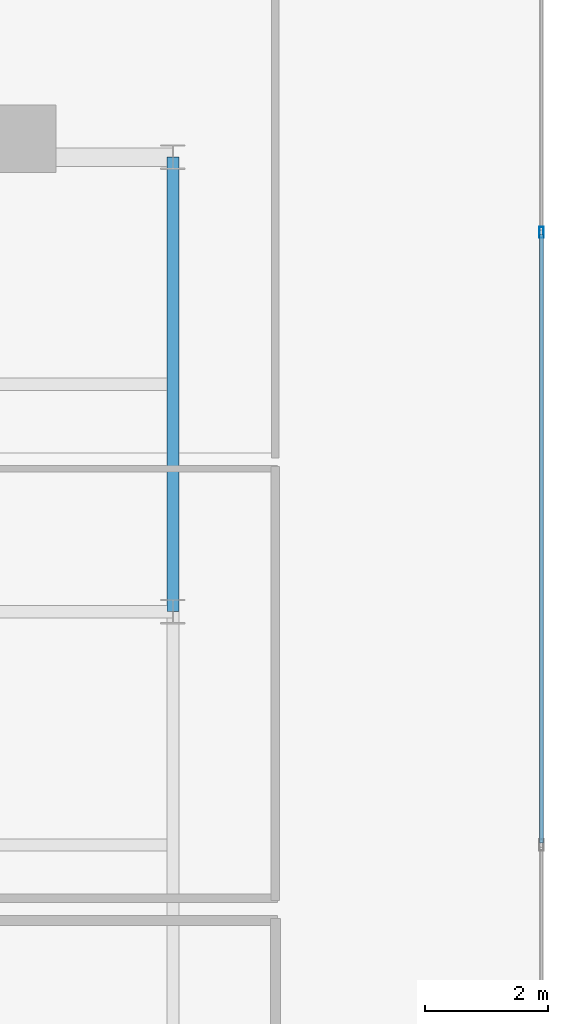
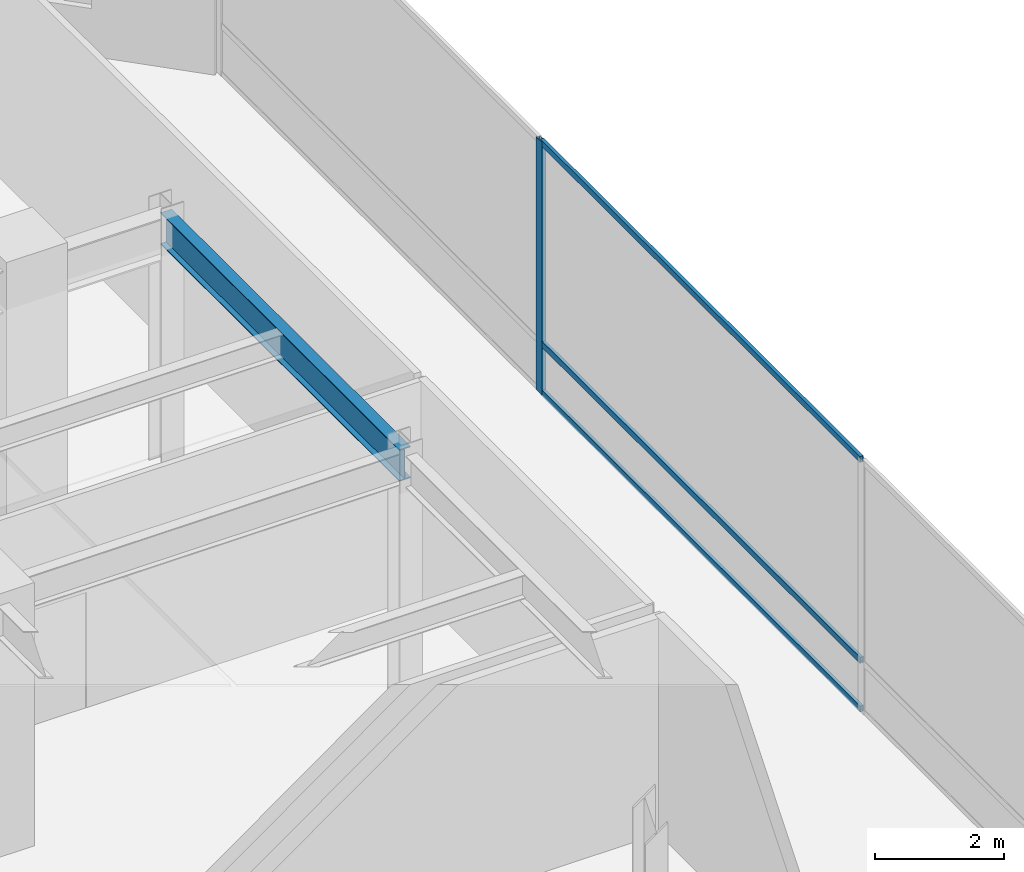
# One storey, part 28 of 42: 4 members, 1 beam, 1 element without a shape of its own.
"""IFC4 building model written with IfcOpenShell, lengths in metres."""

from ifc_helpers import new_model, si_unit, direction, frame, origin, origin_2d, place, context, subcontext, project, spatial, hollow_rectangle, i_section, extrude, material, layer, layer_set, material_profile, profile_set, type_object, element, aggregate, save


model = new_model("IFC4")

# Units and contexts
model_context = context("Model", 3, precision=1e-05, world=origin(), true_north=direction((0.0, 1.0)))
body_context = subcontext(model_context, "Body", "Model", "MODEL_VIEW")
ifc_project = project(units=[si_unit("LENGTHUNIT", "METRE"), si_unit("AREAUNIT", "SQUARE_METRE"), si_unit("VOLUMEUNIT", "CUBIC_METRE"), si_unit("PLANEANGLEUNIT", "RADIAN"), si_unit("MASSUNIT", "GRAM", prefix="KILO")], contexts=[model_context])

# Site, building, storey
site_placement = place(None, origin())
site = spatial("IfcSite", under=ifc_project, at=site_placement, CompositionType="ELEMENT")
building_placement = place(site_placement, origin())
building = spatial("IfcBuilding", under=site, at=building_placement, Name="Qianvela Tower", CompositionType="ELEMENT")
storey_placement = place(building_placement, frame((0.0, 0.0, 6.0)))
storey = spatial("IfcBuildingStorey", under=building, at=storey_placement, Name="L01", CompositionType="ELEMENT", Elevation=6.0)

# Beam
ifc_material_1 = material(Name="Steel Q355B", Category="steel")
ifc_material_profile_1 = material_profile(ifc_material_1, i_section(OverallWidth=0.199951171875, OverallDepth=0.60009765625, WebThickness=0.010986328125, FlangeThickness=0.01708984375, at=origin_2d()), Name="HN600x200x11x17")
ifc_profile_set_1 = profile_set([ifc_material_profile_1], Name="Steel Q355B")
beam_type = type_object("IfcBeamType", Name="BM-HN600-GIRD", PredefinedType="BEAM", material=ifc_profile_set_1)
beam_placement = place(storey_placement, frame((67.5, 29.800048828125, 4.47802734375), z_axis=(0.0, 1.0, 0.0), x_axis=(-1.0, 0.0, 0.0)))
element("IfcBeam", 1, at=beam_placement, inside=storey, type_object=beam_type, Name="L01 North-South Grid Girder 34", PredefinedType="BEAM", context=body_context, shape_type="SweptSolid", body=[
    extrude(i_section(OverallWidth=0.199951171875, OverallDepth=0.60009765625, WebThickness=0.010986328125, FlangeThickness=0.01708984375, at=origin_2d()), origin(), (0.0, 0.0, 1.0), 7.39990234375),
])

# Curtain wall, members
ifc_material_2 = material(Name="Anodised Architectural Aluminium and Low-E Glass", Category="aluminium")
ifc_layer = layer(ifc_material_2, 0.179931640625)
ifc_layer_set = layer_set([ifc_layer], Name="Anodised Architectural Aluminium and Low-E Glass")
curtain_wall_type = type_object("IfcCurtainWallType", Name="CW-COMMONS", PredefinedType="USERDEFINED", material=ifc_layer_set)
curtain_wall_placement = place(storey_placement, origin())
curtain_wall = element("IfcCurtainWall", 2, at=curtain_wall_placement, inside=storey, type_object=curtain_wall_type, Name="L01 CW-COMMONS Curtain Wall 03", ObjectType="CURTAIN_WALL_SYSTEM", PredefinedType="USERDEFINED")
ifc_material_3 = material(Name="Anodised Architectural Aluminium 6063-T6", Category="aluminium")
ifc_material_profile_2 = material_profile(ifc_material_3, hollow_rectangle(XDim=0.070068359375, YDim=0.179931640625, WallThickness=0.0048828125, at=origin_2d()), Name="ALU-MULL-70x180")
ifc_profile_set_2 = profile_set([ifc_material_profile_2], Name="Anodised Architectural Aluminium 6063-T6")
member_type_1 = type_object("IfcMemberType", Name="CW-COMMONS-MULL", PredefinedType="MULLION", material=ifc_profile_set_2)
member_1_placement = place(storey_placement, frame((73.5, 35.97509765625, 0.0), z_axis=(0.0, 0.0, 1.0), x_axis=(-1.0, 0.0, 0.0)))
member_1 = element("IfcMember", 3, at=member_1_placement, type_object=member_type_1, Name="CW-2 mullion 4", PredefinedType="MULLION", context=body_context, shape_type="SweptSolid", body=[
    extrude(hollow_rectangle(XDim=0.070068359375, YDim=0.179931640625, WallThickness=0.0048828125, at=origin_2d()), origin(), (0.0, 0.0, 1.0), 4.780029296875),
])
ifc_material_4 = material(Name="Anodised Architectural Aluminium 6063-T6", Category="aluminium")
ifc_material_profile_3 = material_profile(ifc_material_4, hollow_rectangle(XDim=0.06005859375, YDim=0.114990234375, WallThickness=0.00390625, at=origin_2d()), Name="ALU-TRAN-60x115")
ifc_profile_set_3 = profile_set([ifc_material_profile_3], Name="Anodised Architectural Aluminium 6063-T6")
member_type_2 = type_object("IfcMemberType", Name="CW-COMMONS-TRAN", PredefinedType="USERDEFINED", material=ifc_profile_set_3)
member_2_placement = place(storey_placement, frame((73.5, 26.034912109375, 0.030029296875), z_axis=(0.0, 1.0, 0.0), x_axis=(-1.0, 0.0, 0.0)))
member_2 = element("IfcMember", 4, at=member_2_placement, type_object=member_type_2, Name="CW-2 transom 3.1", ObjectType="TRANSOM", PredefinedType="USERDEFINED", context=body_context, shape_type="SweptSolid", body=[
    extrude(hollow_rectangle(XDim=0.06005859375, YDim=0.114990234375, WallThickness=0.00390625, at=origin_2d()), origin(), (0.0, 0.0, 1.0), 9.905029296875),
])
member_3_placement = place(storey_placement, frame((73.5, 26.034912109375, 0.949951171875), z_axis=(0.0, 1.0, 0.0), x_axis=(-1.0, 0.0, 0.0)))
member_3 = element("IfcMember", 5, at=member_3_placement, type_object=member_type_2, Name="CW-2 transom 3.2", ObjectType="TRANSOM", PredefinedType="USERDEFINED", context=body_context, shape_type="SweptSolid", body=[
    extrude(hollow_rectangle(XDim=0.06005859375, YDim=0.114990234375, WallThickness=0.00390625, at=origin_2d()), origin(), (0.0, 0.0, 1.0), 9.905029296875),
])
member_4_placement = place(storey_placement, frame((73.5, 26.034912109375, 4.75), z_axis=(0.0, 1.0, 0.0), x_axis=(-1.0, 0.0, 0.0)))
member_4 = element("IfcMember", 6, at=member_4_placement, type_object=member_type_2, Name="CW-2 transom 3.3", ObjectType="TRANSOM", PredefinedType="USERDEFINED", context=body_context, shape_type="SweptSolid", body=[
    extrude(hollow_rectangle(XDim=0.06005859375, YDim=0.114990234375, WallThickness=0.00390625, at=origin_2d()), origin(), (0.0, 0.0, 1.0), 9.905029296875),
])
aggregate(curtain_wall, [member_1, member_2, member_3, member_4])

save(model, "model.ifc")
